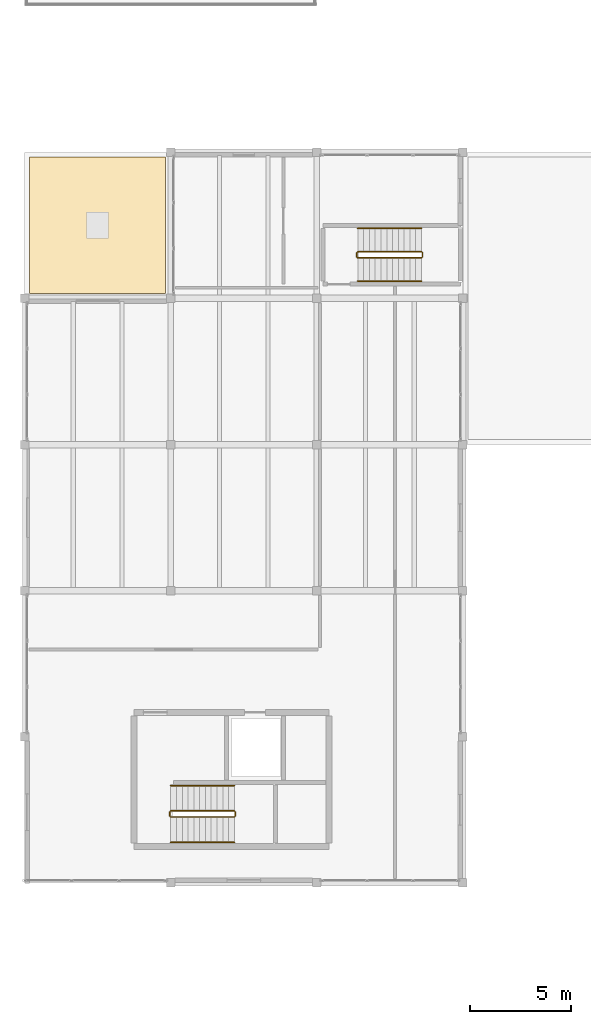
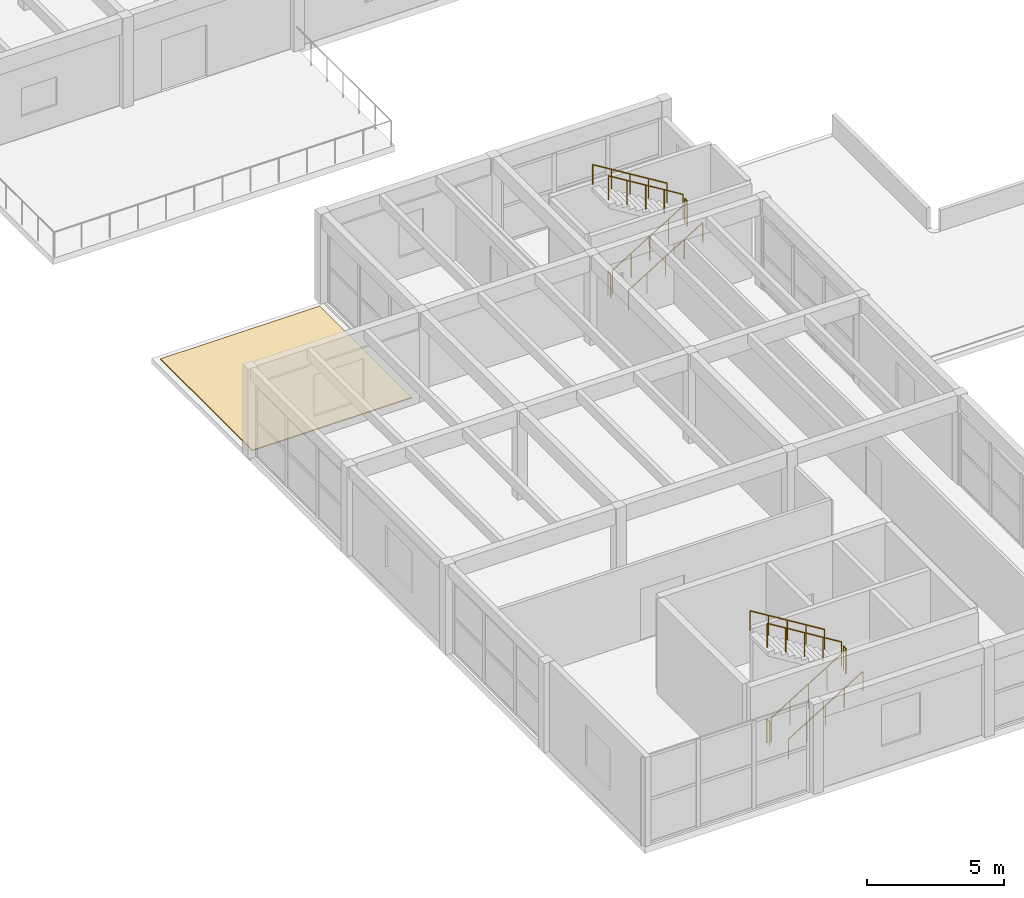
# One storey, part 63 of 68: 12 railings, 1 covering.
"""IFC4 building model written with IfcOpenShell, lengths in metres."""

from ifc_helpers import new_model, si_unit, direction, frame, origin, origin_2d, place, context, subcontext, project, spatial, polyline, circle, outline, extrude, material, layer, layer_set, type_object, element, save


model = new_model("IFC4")

# Units and contexts
model_context = context("Model", 3, precision=1e-05, world=origin(), true_north=direction((0.0, 1.0)))
body_context = subcontext(model_context, "Body", "Model", "MODEL_VIEW")
ifc_project = project(units=[si_unit("LENGTHUNIT", "METRE"), si_unit("AREAUNIT", "SQUARE_METRE"), si_unit("VOLUMEUNIT", "CUBIC_METRE"), si_unit("PLANEANGLEUNIT", "RADIAN"), si_unit("MASSUNIT", "GRAM", prefix="KILO")], contexts=[model_context])

# Site, building, storey
site_placement = place(None, origin())
site = spatial("IfcSite", under=ifc_project, at=site_placement, CompositionType="ELEMENT")
building_placement = place(site_placement, origin())
building = spatial("IfcBuilding", under=site, at=building_placement, Name="Bramvelor Terrace Health Centre", CompositionType="ELEMENT")
storey_placement = place(building_placement, frame((0.0, 0.0, 9.300048828125)))
storey = spatial("IfcBuildingStorey", under=building, at=storey_placement, Name="L03", CompositionType="ELEMENT", Elevation=9.300048828125)

# Covering
ifc_material_1 = material(Name="TPO standing-seam insulated roofing", Category="membrane")
ifc_layer = layer(ifc_material_1, 0.044921875)
ifc_layer_set = layer_set([ifc_layer], Name="TPO standing-seam insulated roofing")
covering_type = type_object("IfcCoveringType", Name="COV-ROOF-MEM", PredefinedType="ROOFING", material=ifc_layer_set)
covering_placement = place(storey_placement, frame((0.0, 0.0, -0.080078125)))
element("IfcCovering", 1, at=covering_placement, inside=storey, type_object=covering_type, Name="L03 Insulated Roof Membrane 5", PredefinedType="ROOFING", context=body_context, shape_type="SweptSolid", body=[
    extrude(outline(polyline([(6.949951171875, 64.56005859375), (6.949951171875, 57.85009765625), (0.239990234375, 57.85009765625), (0.239990234375, 64.56005859375), (6.949951171875, 64.56005859375)])), origin(), (0.0, 0.0, 1.0), 0.044921875),
])

# Railings
ifc_material_2 = material(Name="Painted galvanized steel", Category="steel")
railing_type_1 = type_object("IfcRailingType", Name="RLG-GD-1100", PredefinedType="GUARDRAIL", material=ifc_material_2)
railing_1_placement = place(storey_placement, frame((7.199951171875, 32.050048828125, 0.175048828125)))
element("IfcRailing", 2, at=railing_1_placement, inside=storey, type_object=railing_type_1, Name="L03 ST-3 stair guard 1", PredefinedType="GUARDRAIL", context=body_context, shape_type="SweptSolid", body=[
    extrude(circle(Radius=0.02392578125, at=origin_2d()), frame((0.0, 0.0, 1.076171875), z_axis=(0.852195625947, 0.0, 0.523223293744), x_axis=(0.0, 1.0, 0.0)), (0.0, 0.0, 1.0), 3.6787109375),
    extrude(circle(Radius=0.02099609375, at=origin_2d()), origin(), (0.0, 0.0, 1.0), 1.052001953125),
    extrude(circle(Radius=0.02099609375, at=origin_2d()), frame((0.78369140625, 0.0, 0.481201171875)), (0.0, 0.0, 1.0), 1.052001953125),
    extrude(circle(Radius=0.02099609375, at=origin_2d()), frame((1.5673828125, 0.0, 0.96240234375)), (0.0, 0.0, 1.0), 1.052001953125),
    extrude(circle(Radius=0.02099609375, at=origin_2d()), frame((2.351318359375, 0.0, 1.443603515625)), (0.0, 0.0, 1.0), 1.052001953125),
    extrude(circle(Radius=0.02099609375, at=origin_2d()), frame((3.135009765625, 0.0, 1.9248046875)), (0.0, 0.0, 1.0), 1.052001953125),
])
railing_2_placement = place(storey_placement, frame((10.385009765625, 32.10009765625, 2.099853515625)))
element("IfcRailing", 3, at=railing_2_placement, inside=storey, type_object=railing_type_1, Name="L03 ST-3 stair guard 2", PredefinedType="GUARDRAIL", context=body_context, shape_type="SweptSolid", body=[
    extrude(circle(Radius=0.02392578125, at=origin_2d()), frame((0.0, 0.0, 1.076171875), z_axis=(0.0, 1.0, 0.0), x_axis=(-1.0, 0.0, 0.0)), (0.0, 0.0, 1.0), 0.199951171875),
    extrude(circle(Radius=0.02099609375, at=origin_2d()), origin(), (0.0, 0.0, 1.0), 1.052001953125),
    extrude(circle(Radius=0.02099609375, at=origin_2d()), frame((0.0, 0.199951171875, 0.0)), (0.0, 0.0, 1.0), 1.052001953125),
])
railing_3_placement = place(storey_placement, frame((10.3349609375, 32.35009765625, 2.27490234375)))
element("IfcRailing", 4, at=railing_3_placement, inside=storey, type_object=railing_type_1, Name="L03 ST-3 stair guard 3", PredefinedType="GUARDRAIL", context=body_context, shape_type="SweptSolid", body=[
    extrude(circle(Radius=0.02392578125, at=origin_2d()), frame((0.0, 0.0, 1.076171875), z_axis=(-0.852166034122, 0.0, 0.523271488128), x_axis=(0.0, -1.0, 0.0)), (0.0, 0.0, 1.0), 3.678955078125),
    extrude(circle(Radius=0.02099609375, at=origin_2d()), origin(), (0.0, 0.0, 1.0), 1.052001953125),
    extrude(circle(Radius=0.02099609375, at=origin_2d()), frame((-0.78369140625, 0.0, 0.481201171875)), (0.0, 0.0, 1.0), 1.052001953125),
    extrude(circle(Radius=0.02099609375, at=origin_2d()), frame((-1.5673828125, 0.0, 0.96240234375)), (0.0, 0.0, 1.0), 1.052001953125),
    extrude(circle(Radius=0.02099609375, at=origin_2d()), frame((-2.351318359375, 0.0, 1.44384765625)), (0.0, 0.0, 1.0), 1.052001953125),
    extrude(circle(Radius=0.02099609375, at=origin_2d()), frame((-3.135009765625, 0.0, 1.925048828125)), (0.0, 0.0, 1.0), 1.052001953125),
])
railing_4_placement = place(storey_placement, frame((7.14990234375, 32.10009765625, 0.0)))
element("IfcRailing", 5, at=railing_4_placement, inside=storey, type_object=railing_type_1, Name="L03 ST-3 stair guard 4", PredefinedType="GUARDRAIL", context=body_context, shape_type="SweptSolid", body=[
    extrude(circle(Radius=0.02392578125, at=origin_2d()), frame((0.0, 0.0, 1.076171875), z_axis=(0.0, 1.0, 0.0), x_axis=(-1.0, 0.0, 0.0)), (0.0, 0.0, 1.0), 0.199951171875),
    extrude(circle(Radius=0.02099609375, at=origin_2d()), origin(), (0.0, 0.0, 1.0), 1.052001953125),
    extrude(circle(Radius=0.02099609375, at=origin_2d()), frame((0.0, 0.199951171875, 0.0)), (0.0, 0.0, 1.0), 1.052001953125),
])
railing_5_placement = place(storey_placement, frame((16.419921875, 59.60009765625, 0.175048828125)))
element("IfcRailing", 6, at=railing_5_placement, inside=storey, type_object=railing_type_1, Name="L03 ST-6 stair guard 1", PredefinedType="GUARDRAIL", context=body_context, shape_type="SweptSolid", body=[
    extrude(circle(Radius=0.02392578125, at=origin_2d()), frame((0.0, 0.0, 1.076171875), z_axis=(0.852195625947, 0.0, 0.523223293744), x_axis=(0.0, 1.0, 0.0)), (0.0, 0.0, 1.0), 3.6787109375),
    extrude(circle(Radius=0.02099609375, at=origin_2d()), origin(), (0.0, 0.0, 1.0), 1.052001953125),
    extrude(circle(Radius=0.02099609375, at=origin_2d()), frame((0.78369140625, 0.0, 0.481201171875)), (0.0, 0.0, 1.0), 1.052001953125),
    extrude(circle(Radius=0.02099609375, at=origin_2d()), frame((1.5673828125, 0.0, 0.96240234375)), (0.0, 0.0, 1.0), 1.052001953125),
    extrude(circle(Radius=0.02099609375, at=origin_2d()), frame((2.351318359375, 0.0, 1.443603515625)), (0.0, 0.0, 1.0), 1.052001953125),
    extrude(circle(Radius=0.02099609375, at=origin_2d()), frame((3.135009765625, 0.0, 1.9248046875)), (0.0, 0.0, 1.0), 1.052001953125),
])
railing_6_placement = place(storey_placement, frame((19.60498046875, 59.64990234375, 2.099853515625)))
element("IfcRailing", 7, at=railing_6_placement, inside=storey, type_object=railing_type_1, Name="L03 ST-6 stair guard 2", PredefinedType="GUARDRAIL", context=body_context, shape_type="SweptSolid", body=[
    extrude(circle(Radius=0.02392578125, at=origin_2d()), frame((0.0, 0.0, 1.076171875), z_axis=(0.0, 1.0, 0.0), x_axis=(-1.0, 0.0, 0.0)), (0.0, 0.0, 1.0), 0.2001953125),
    extrude(circle(Radius=0.02099609375, at=origin_2d()), origin(), (0.0, 0.0, 1.0), 1.052001953125),
    extrude(circle(Radius=0.02099609375, at=origin_2d()), frame((0.0, 0.2001953125, 0.0)), (0.0, 0.0, 1.0), 1.052001953125),
])
railing_7_placement = place(storey_placement, frame((19.554931640625, 59.89990234375, 2.27490234375)))
element("IfcRailing", 8, at=railing_7_placement, inside=storey, type_object=railing_type_1, Name="L03 ST-6 stair guard 3", PredefinedType="GUARDRAIL", context=body_context, shape_type="SweptSolid", body=[
    extrude(circle(Radius=0.02392578125, at=origin_2d()), frame((0.0, 0.0, 1.076171875), z_axis=(-0.852166034122, 0.0, 0.523271488128), x_axis=(0.0, -1.0, 0.0)), (0.0, 0.0, 1.0), 3.678955078125),
    extrude(circle(Radius=0.02099609375, at=origin_2d()), origin(), (0.0, 0.0, 1.0), 1.052001953125),
    extrude(circle(Radius=0.02099609375, at=origin_2d()), frame((-0.78369140625, 0.0, 0.481201171875)), (0.0, 0.0, 1.0), 1.052001953125),
    extrude(circle(Radius=0.02099609375, at=origin_2d()), frame((-1.5673828125, 0.0, 0.96240234375)), (0.0, 0.0, 1.0), 1.052001953125),
    extrude(circle(Radius=0.02099609375, at=origin_2d()), frame((-2.351318359375, 0.0, 1.44384765625)), (0.0, 0.0, 1.0), 1.052001953125),
    extrude(circle(Radius=0.02099609375, at=origin_2d()), frame((-3.135009765625, 0.0, 1.925048828125)), (0.0, 0.0, 1.0), 1.052001953125),
])
railing_8_placement = place(storey_placement, frame((16.3701171875, 59.64990234375, 0.0)))
element("IfcRailing", 9, at=railing_8_placement, inside=storey, type_object=railing_type_1, Name="L03 ST-6 stair guard 4", PredefinedType="GUARDRAIL", context=body_context, shape_type="SweptSolid", body=[
    extrude(circle(Radius=0.02392578125, at=origin_2d()), frame((0.0, 0.0, 1.076171875), z_axis=(0.0, 1.0, 0.0), x_axis=(-1.0, 0.0, 0.0)), (0.0, 0.0, 1.0), 0.2001953125),
    extrude(circle(Radius=0.02099609375, at=origin_2d()), origin(), (0.0, 0.0, 1.0), 1.052001953125),
    extrude(circle(Radius=0.02099609375, at=origin_2d()), frame((0.0, 0.2001953125, 0.0)), (0.0, 0.0, 1.0), 1.052001953125),
])
ifc_material_3 = material(Name="Brushed stainless steel 316", Category="steel")
railing_type_2 = type_object("IfcRailingType", Name="RLG-HR-900", PredefinedType="HANDRAIL", material=ifc_material_3)
railing_9_placement = place(storey_placement, frame((7.199951171875, 30.800048828125, 0.175048828125)))
element("IfcRailing", 10, at=railing_9_placement, inside=storey, type_object=railing_type_2, Name="L03 ST-3 stair handrail 1", PredefinedType="HANDRAIL", context=body_context, shape_type="SweptSolid", body=[
    extrude(circle(Radius=0.02392578125, at=origin_2d()), frame((0.0, 0.0, 0.8759765625), z_axis=(0.852195625947, 0.0, 0.523223293744), x_axis=(0.0, 1.0, 0.0)), (0.0, 0.0, 1.0), 3.6787109375),
    extrude(circle(Radius=0.02099609375, at=origin_2d()), origin(), (0.0, 0.0, 1.0), 0.851806640625),
    extrude(circle(Radius=0.02099609375, at=origin_2d()), frame((0.78369140625, 0.0, 0.481201171875)), (0.0, 0.0, 1.0), 0.851806640625),
    extrude(circle(Radius=0.02099609375, at=origin_2d()), frame((1.5673828125, 0.0, 0.96240234375)), (0.0, 0.0, 1.0), 0.851806640625),
    extrude(circle(Radius=0.02099609375, at=origin_2d()), frame((2.351318359375, 0.0, 1.443603515625)), (0.0, 0.0, 1.0), 0.851806640625),
    extrude(circle(Radius=0.02099609375, at=origin_2d()), frame((3.135009765625, 0.0, 1.9248046875)), (0.0, 0.0, 1.0), 0.851806640625),
])
railing_10_placement = place(storey_placement, frame((10.3349609375, 33.60009765625, 2.27490234375)))
element("IfcRailing", 11, at=railing_10_placement, inside=storey, type_object=railing_type_2, Name="L03 ST-3 stair handrail 2", PredefinedType="HANDRAIL", context=body_context, shape_type="SweptSolid", body=[
    extrude(circle(Radius=0.02392578125, at=origin_2d()), frame((0.0, 0.0, 0.8759765625), z_axis=(-0.852166034122, 0.0, 0.523271488128), x_axis=(0.0, -1.0, 0.0)), (0.0, 0.0, 1.0), 3.678955078125),
    extrude(circle(Radius=0.02099609375, at=origin_2d()), origin(), (0.0, 0.0, 1.0), 0.851806640625),
    extrude(circle(Radius=0.02099609375, at=origin_2d()), frame((-0.78369140625, 0.0, 0.481201171875)), (0.0, 0.0, 1.0), 0.851806640625),
    extrude(circle(Radius=0.02099609375, at=origin_2d()), frame((-1.5673828125, 0.0, 0.96240234375)), (0.0, 0.0, 1.0), 0.851806640625),
    extrude(circle(Radius=0.02099609375, at=origin_2d()), frame((-2.351318359375, 0.0, 1.44384765625)), (0.0, 0.0, 1.0), 0.851806640625),
    extrude(circle(Radius=0.02099609375, at=origin_2d()), frame((-3.135009765625, 0.0, 1.925048828125)), (0.0, 0.0, 1.0), 0.851806640625),
])
railing_11_placement = place(storey_placement, frame((16.419921875, 58.449951171875, 0.175048828125)))
element("IfcRailing", 12, at=railing_11_placement, inside=storey, type_object=railing_type_2, Name="L03 ST-6 stair handrail 1", PredefinedType="HANDRAIL", context=body_context, shape_type="SweptSolid", body=[
    extrude(circle(Radius=0.02392578125, at=origin_2d()), frame((0.0, 0.0, 0.8759765625), z_axis=(0.852195625947, 0.0, 0.523223293744), x_axis=(0.0, 1.0, 0.0)), (0.0, 0.0, 1.0), 3.6787109375),
    extrude(circle(Radius=0.02099609375, at=origin_2d()), origin(), (0.0, 0.0, 1.0), 0.851806640625),
    extrude(circle(Radius=0.02099609375, at=origin_2d()), frame((0.78369140625, 0.0, 0.481201171875)), (0.0, 0.0, 1.0), 0.851806640625),
    extrude(circle(Radius=0.02099609375, at=origin_2d()), frame((1.5673828125, 0.0, 0.96240234375)), (0.0, 0.0, 1.0), 0.851806640625),
    extrude(circle(Radius=0.02099609375, at=origin_2d()), frame((2.351318359375, 0.0, 1.443603515625)), (0.0, 0.0, 1.0), 0.851806640625),
    extrude(circle(Radius=0.02099609375, at=origin_2d()), frame((3.135009765625, 0.0, 1.9248046875)), (0.0, 0.0, 1.0), 0.851806640625),
])
railing_12_placement = place(storey_placement, frame((19.554931640625, 61.050048828125, 2.27490234375)))
element("IfcRailing", 13, at=railing_12_placement, inside=storey, type_object=railing_type_2, Name="L03 ST-6 stair handrail 2", PredefinedType="HANDRAIL", context=body_context, shape_type="SweptSolid", body=[
    extrude(circle(Radius=0.02392578125, at=origin_2d()), frame((0.0, 0.0, 0.8759765625), z_axis=(-0.852166034122, 0.0, 0.523271488128), x_axis=(0.0, -1.0, 0.0)), (0.0, 0.0, 1.0), 3.678955078125),
    extrude(circle(Radius=0.02099609375, at=origin_2d()), origin(), (0.0, 0.0, 1.0), 0.851806640625),
    extrude(circle(Radius=0.02099609375, at=origin_2d()), frame((-0.78369140625, 0.0, 0.481201171875)), (0.0, 0.0, 1.0), 0.851806640625),
    extrude(circle(Radius=0.02099609375, at=origin_2d()), frame((-1.5673828125, 0.0, 0.96240234375)), (0.0, 0.0, 1.0), 0.851806640625),
    extrude(circle(Radius=0.02099609375, at=origin_2d()), frame((-2.351318359375, 0.0, 1.44384765625)), (0.0, 0.0, 1.0), 0.851806640625),
    extrude(circle(Radius=0.02099609375, at=origin_2d()), frame((-3.135009765625, 0.0, 1.925048828125)), (0.0, 0.0, 1.0), 0.851806640625),
])

save(model, "model.ifc")
